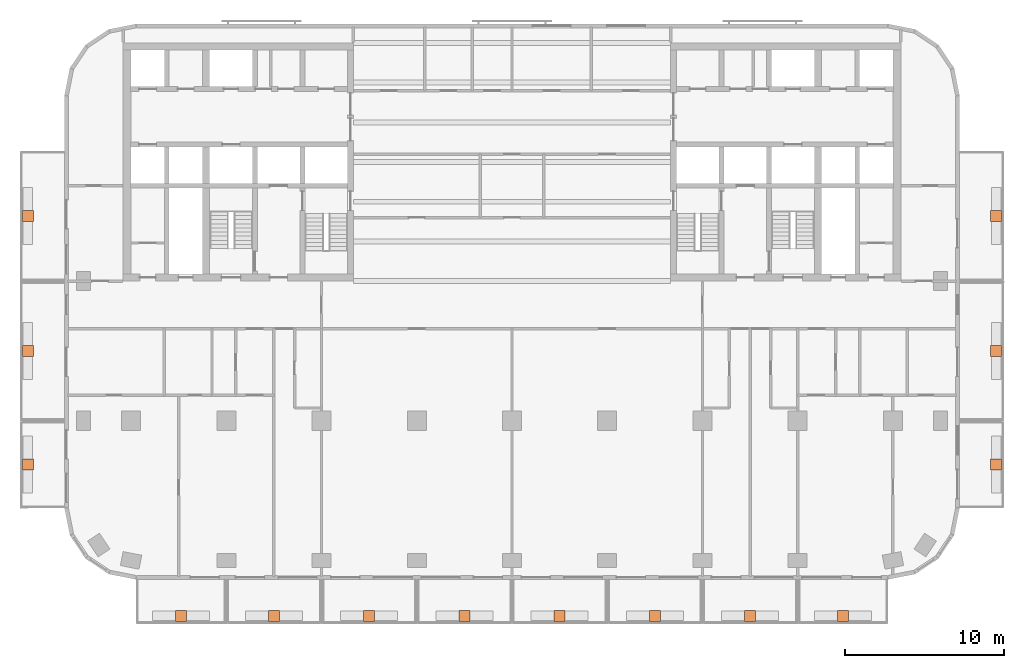
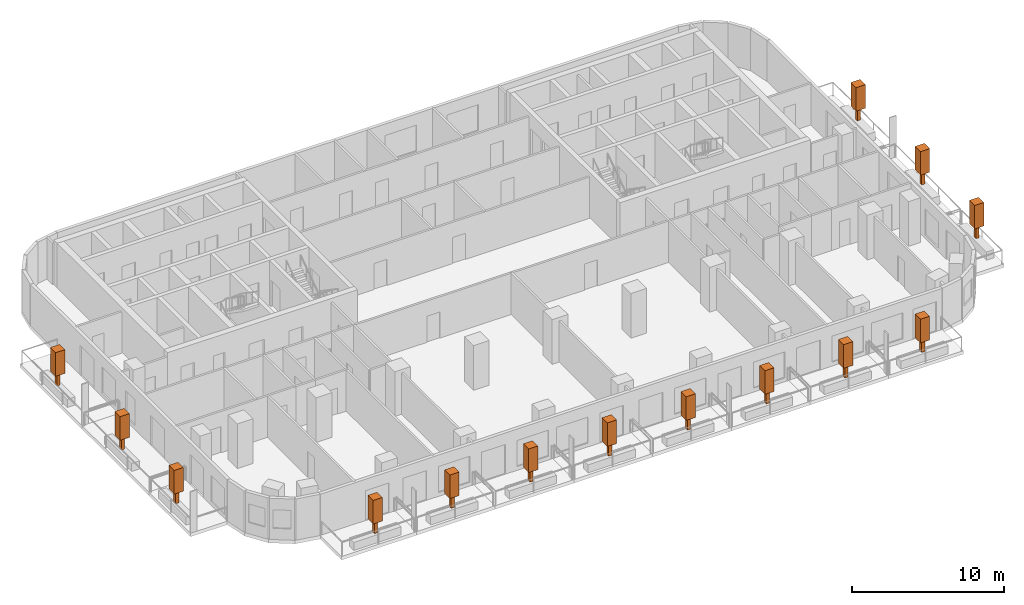
# One storey, part 11 of 11: 14 geographic elements.
"""IFC4 building model written with IfcOpenShell, lengths in metres."""

from ifc_helpers import new_model, si_unit, direction, frame, origin, origin_2d, place, context, subcontext, project, spatial, rectangle, extrude, material, element, save


model = new_model("IFC4")

# Units and contexts
model_context = context("Model", 3, precision=1e-05, world=origin(), true_north=direction((0.0, 1.0)))
body_context = subcontext(model_context, "Body", "Model", "MODEL_VIEW")
ifc_project = project(units=[si_unit("LENGTHUNIT", "METRE"), si_unit("AREAUNIT", "SQUARE_METRE"), si_unit("VOLUMEUNIT", "CUBIC_METRE"), si_unit("PLANEANGLEUNIT", "RADIAN"), si_unit("MASSUNIT", "GRAM", prefix="KILO")], contexts=[model_context])

# Site, building, storey
site_placement = place(None, origin())
site = spatial("IfcSite", under=ifc_project, at=site_placement, CompositionType="ELEMENT")
building_placement = place(site_placement, origin())
building = spatial("IfcBuilding", under=site, at=building_placement, Name="Torana Hotel and Residences", CompositionType="ELEMENT")
storey_placement = place(building_placement, frame((0.0, 0.0, 130.800048828125)))
storey = spatial("IfcBuildingStorey", under=building, at=storey_placement, Name="L33", CompositionType="ELEMENT", Elevation=130.800048828125)

# Geographic elements
ifc_material = material(Name="Foliage", Category="planting")
for number, where, z_axis, x_axis, name in (
    (1, (-20.85009765625, -36.10009765625, 0.64990234375), (0.0, 0.0, 1.0), (1.0, 0.0, 0.0), "Tree 01"),
    (2, (-15.0, -36.10009765625, 0.64990234375), (0.0, 0.0, 1.0), (1.0, 0.0, 0.0), "Tree 02"),
    (3, (-9.0, -36.10009765625, 0.64990234375), (0.0, 0.0, 1.0), (1.0, 0.0, 0.0), "Tree 03"),
    (4, (-3.0, -36.10009765625, 0.64990234375), (0.0, 0.0, 1.0), (1.0, 0.0, 0.0), "Tree 04"),
    (5, (3.0, -36.10009765625, 0.64990234375), (0.0, 0.0, 1.0), (1.0, 0.0, 0.0), "Tree 05"),
    (6, (9.0, -36.10009765625, 0.64990234375), (0.0, 0.0, 1.0), (1.0, 0.0, 0.0), "Tree 06"),
    (7, (15.0, -36.10009765625, 0.64990234375), (0.0, 0.0, 1.0), (1.0, 0.0, 0.0), "Tree 07"),
    (8, (20.85009765625, -36.10009765625, 0.64990234375), (0.0, 0.0, 1.0), (1.0, 0.0, 0.0), "Tree 08"),
    (9, (-30.5, -26.550048828125, 0.64990234375), (0.0, 0.0, 1.0), (1.0, 0.0, 0.0), "Tree 09"),
    (10, (-30.5, -19.39990234375, 0.64990234375), (0.0, 0.0, 1.0), (1.0, 0.0, 0.0), "Tree 10"),
    (11, (-30.5, -10.89990234375, 0.64990234375), (0.0, 0.0, 1.0), (1.0, 0.0, 0.0), "Tree 11"),
    (12, (30.5, -26.550048828125, 0.64990234375), (0.0, 0.0, 1.0), (1.0, 0.0, 0.0), "Tree 12"),
    (13, (30.5, -19.39990234375, 0.64990234375), (0.0, 0.0, 1.0), (1.0, 0.0, 0.0), "Tree 13"),
    (14, (30.5, -10.89990234375, 0.64990234375), (0.0, 0.0, 1.0), (1.0, 0.0, 0.0), "Tree 14"),
):
    element("IfcGeographicElement", number, at=place(storey_placement, frame(where, z_axis=z_axis, x_axis=x_axis)), inside=storey, material=ifc_material, Name=name, ObjectType="TREE", PredefinedType="USERDEFINED", context=body_context, shape_type="SweptSolid", body=[
        extrude(rectangle(XDim=0.25, YDim=0.25, at=origin_2d()), origin(), (0.0, 0.0, 1.0), 1.0),
        extrude(rectangle(XDim=0.699951171875, YDim=0.699951171875, at=origin_2d()), frame((0.0, 0.0, 1.0)), (0.0, 0.0, 1.0), 1.89990234375),
    ])

save(model, "model.ifc")
